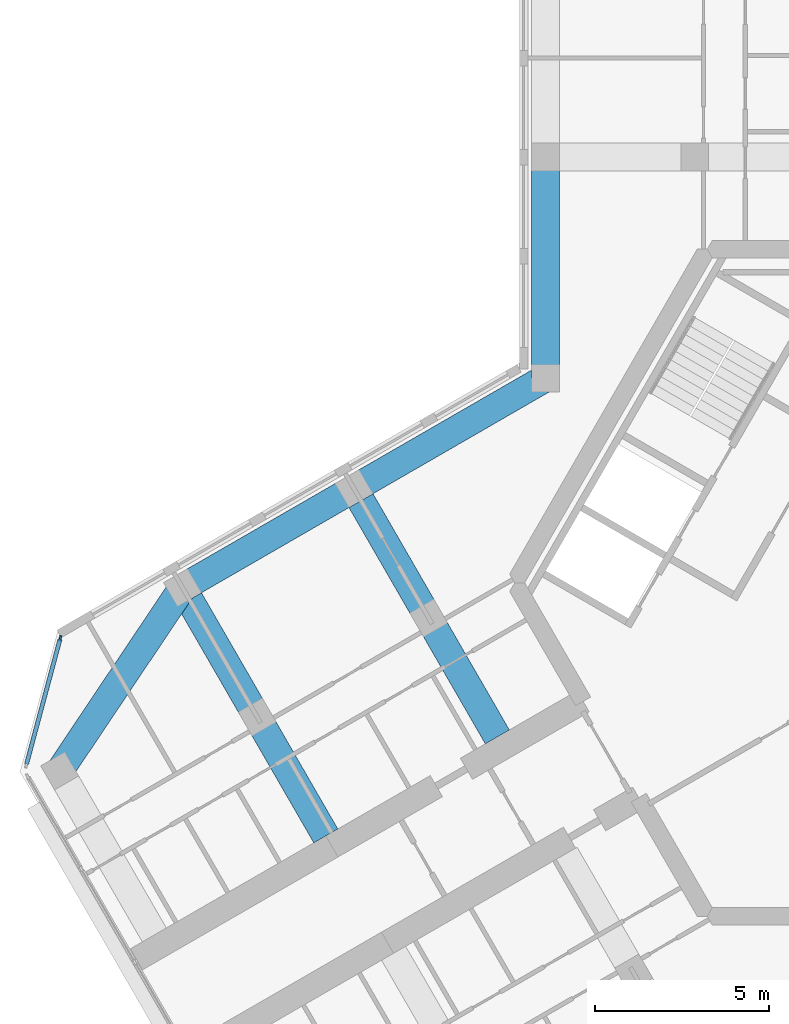
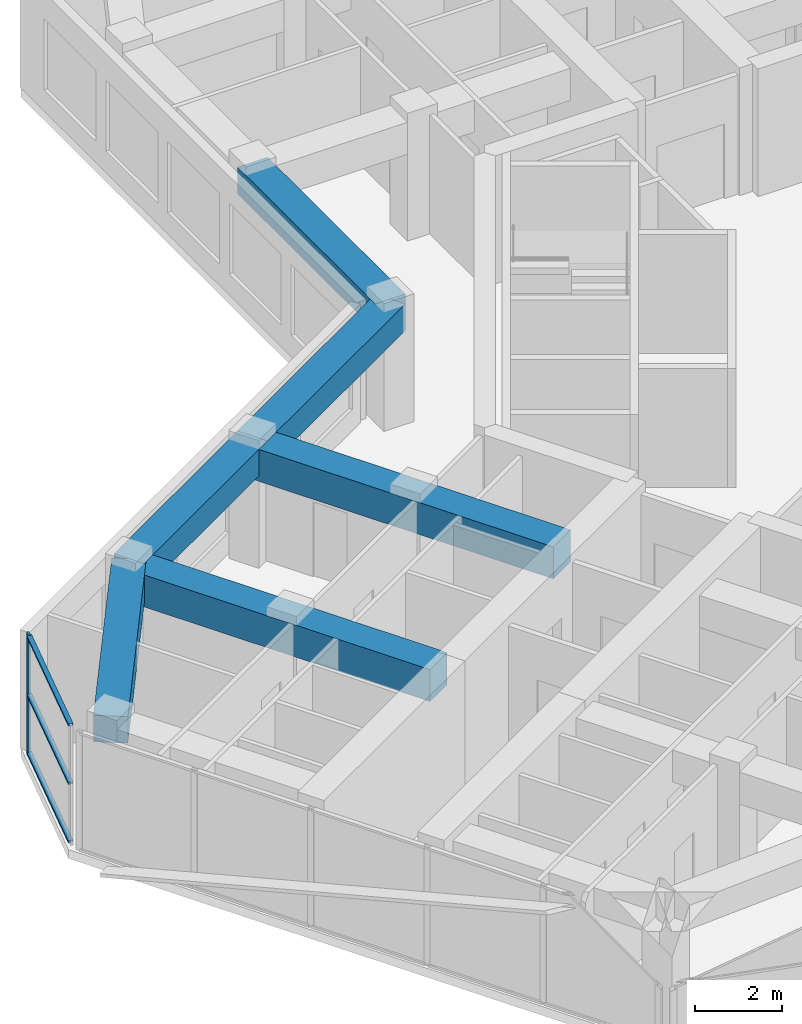
# One storey, part 3 of 14: 6 beams, 4 members, 1 element without a shape of its own.
"""IFC4 building model written with IfcOpenShell, lengths in metres."""

import ifcopenshell
import ifcopenshell.guid

model = None  # the IFC model being written
_history = None  # IfcOwnerHistory: only IFC2X3 demands one
_inside = {}  # id of a spatial element -> (the spatial element, [elements in it])
_under = {}  # id of a project, library or spatial element -> (it, [spatial elements below it])
_declared = {}  # id of a project -> (the project, [libraries it declares])
_typed = {}  # id of a type object -> (the type object, [elements of that type])
_made_of = {}  # id of a material, layer set ... -> (it, [elements and type objects made of it])


def new_model(schema):
    """Start an empty IFC model of exactly this schema.

    Asked for "IFC4X3", IfcOpenShell would pick the latest addendum, in which some entities
    have other attributes; the version numbers below select the first issue.
    IFC2X3 requires an IfcOwnerHistory on every rooted entity: one is made here for all.
    """
    global model, _history
    if schema == "IFC4X3":
        model = ifcopenshell.file(schema_version=(4, 3, 0, 0))
    else:
        model = ifcopenshell.file(schema=schema)
    _inside.clear()
    _under.clear()
    _declared.clear()
    _typed.clear()
    _made_of.clear()
    _history = None
    if model.schema == "IFC2X3":
        org = make("IfcOrganization", Name="unknown")
        user = make(
            "IfcPersonAndOrganization",
            ThePerson=make("IfcPerson", FamilyName="unknown"),
            TheOrganization=org,
        )
        app = make(
            "IfcApplication",
            ApplicationDeveloper=org,
            Version="unknown",
            ApplicationFullName="unknown",
            ApplicationIdentifier="unknown",
        )
        _history = make(
            "IfcOwnerHistory",
            OwningUser=user,
            OwningApplication=app,
            ChangeAction="ADDED",
            CreationDate=0,
        )
    return model


def make(cls, **values):
    """One entity of the class cls with the attributes given. An attribute that is None is left unset."""
    return model.create_entity(
        cls, **{name: value for name, value in values.items() if value is not None}
    )


def rooted(cls, **values):
    """An entity with a GlobalId (a new one), such as an element, a storey or a relation."""
    return make(cls, GlobalId=ifcopenshell.guid.new(), OwnerHistory=_history, **values)


def si_unit(unit_type, name, prefix=None):
    """IfcSIUnit, for example si_unit("LENGTHUNIT", "METRE", prefix="MILLI")."""
    return make("IfcSIUnit", UnitType=unit_type, Prefix=prefix, Name=name)


def assignment(units):
    """IfcUnitAssignment: the units of a project."""
    return None if units is None else make("IfcUnitAssignment", Units=units)


def point(xyz):
    """IfcCartesianPoint."""
    return None if xyz is None else make("IfcCartesianPoint", Coordinates=xyz)


def direction(xyz):
    """IfcDirection."""
    return None if xyz is None else make("IfcDirection", DirectionRatios=xyz)


def frame(location, z_axis=None, x_axis=None):
    """IfcAxis2Placement3D, a coordinate frame: its origin and axes. An axis left out is left unset."""
    return make(
        "IfcAxis2Placement3D",
        Location=point(location),
        Axis=direction(z_axis),
        RefDirection=direction(x_axis),
    )


def frame_2d(location, x_axis=None):
    """IfcAxis2Placement2D, a coordinate frame in the plane: its origin and x axis."""
    return make(
        "IfcAxis2Placement2D", Location=point(location), RefDirection=direction(x_axis)
    )


def origin():
    """The frame at (0, 0, 0) with its axes left unset."""
    return frame((0.0, 0.0, 0.0))


def origin_2d():
    """The frame at (0, 0) in the plane with its x axis left unset."""
    return frame_2d((0.0, 0.0))


def place(relative_to, where):
    """IfcLocalPlacement: puts the frame where relative to a parent placement (None: the world)."""
    return make(
        "IfcLocalPlacement", PlacementRelTo=relative_to, RelativePlacement=where
    )


def context(
    kind, dimensions, precision=None, world=None, true_north=None, identifier=None
):
    """IfcGeometricRepresentationContext, for example the 3D "Model" context."""
    return make(
        "IfcGeometricRepresentationContext",
        ContextIdentifier=identifier,
        ContextType=kind,
        CoordinateSpaceDimension=dimensions,
        Precision=precision,
        WorldCoordinateSystem=world,
        TrueNorth=true_north,
    )


def subcontext(parent, identifier, kind, view, scale=None):
    """IfcGeometricRepresentationSubContext, for example "Body" below "Model"."""
    return make(
        "IfcGeometricRepresentationSubContext",
        ContextIdentifier=identifier,
        ContextType=kind,
        ParentContext=parent,
        TargetScale=scale,
        TargetView=view,
    )


def project(units=None, contexts=None):
    """IfcProject with its units and contexts."""
    return rooted(
        "IfcProject",
        Name="project",
        RepresentationContexts=contexts,
        UnitsInContext=assignment(units),
    )


def spatial(cls, under=None, at=None, **own):
    """A site, building, storey or space (cls), placed at a placement, below another one or the project."""
    s = rooted(cls, ObjectPlacement=at, **own)
    if under is not None:
        _under.setdefault(under.id(), (under, []))[1].append(s)
    return s


def profile(cls, at=None, kind="AREA", **sizes):
    """A parametric profile (cls). Its sizes go by their IFC names, for example OverallWidth=200.0."""
    return make(cls, ProfileType=kind, Position=at, **sizes)


def rectangle(**sizes):
    """IfcRectangleProfileDef."""
    return profile("IfcRectangleProfileDef", **sizes)


def extrude(swept, where, along, depth):
    """IfcExtrudedAreaSolid: the profile swept, set in the frame where, extruded along a direction by depth."""
    return make(
        "IfcExtrudedAreaSolid",
        SweptArea=swept,
        Position=where,
        ExtrudedDirection=direction(along),
        Depth=depth,
    )


def shape(context_of_items, identifier, shape_type, items):
    """IfcShapeRepresentation: the items that make up one representation, for example the "Body"."""
    return make(
        "IfcShapeRepresentation",
        ContextOfItems=context_of_items,
        RepresentationIdentifier=identifier,
        RepresentationType=shape_type,
        Items=items,
    )


def material(Name=None, Category=None):
    """IfcMaterial."""
    return make("IfcMaterial", Name=Name, Category=Category)


def material_profile(
    of_material, cross_section, Name=None, Category=None, Priority=None
):
    """IfcMaterialProfile: a cross section and its material."""
    return make(
        "IfcMaterialProfile",
        Name=Name,
        Material=of_material,
        Profile=cross_section,
        Priority=Priority,
        Category=Category,
    )


def profile_set(profiles, Name=None, composite=None):
    """IfcMaterialProfileSet."""
    return make(
        "IfcMaterialProfileSet",
        Name=Name,
        MaterialProfiles=profiles,
        CompositeProfile=composite,
    )


def made_of(thing, what):
    """Note that an element or type object is made of a material, layer set ...; save() writes the relation."""
    if what is not None:
        _made_of.setdefault(what.id(), (what, []))[1].append(thing)
    return thing


def type_object(cls, material=None, **own):
    """A type object (cls), such as IfcWallType, which elements share."""
    return made_of(rooted(cls, **own), material)


def element(
    cls,
    number,
    at=None,
    inside=None,
    cuts=None,
    type_object=None,
    material=None,
    context=None,
    identifier="Body",
    shape_type=None,
    held_by="IfcProductDefinitionShape",
    body=None,
    shapes=None,
    **own,
):
    """One element of the class cls, such as IfcWall. Its Tag is "e" and its number.

    at: its placement. inside: the storey or other place that contains it. cuts: it is an
    opening in that element (IfcRelVoidsElement). A single representation is given by context,
    identifier, shape_type and body (its items); several are given by shapes. held_by: the class
    of the entity that holds the representations. save() writes the other relations.
    """
    e = rooted(cls, Tag="e%d" % number, ObjectPlacement=at, **own)
    if body is not None:
        shapes = [shape(context, identifier, shape_type, body)]
    if shapes is not None:
        e.Representation = make(held_by, Representations=shapes)
    if inside is not None:
        _inside.setdefault(inside.id(), (inside, []))[1].append(e)
    if cuts is not None:
        rooted(
            "IfcRelVoidsElement", RelatingBuildingElement=cuts, RelatedOpeningElement=e
        )
    if type_object is not None:
        _typed.setdefault(type_object.id(), (type_object, []))[1].append(e)
    return made_of(e, material)


def aggregate(whole, parts):
    """IfcRelAggregates: a whole, such as a stair, and the parts it consists of."""
    return rooted("IfcRelAggregates", RelatingObject=whole, RelatedObjects=parts)


def save(model, path):
    """Write the relations noted so far, then the file.

    IfcRelAggregates (storeys below a building ...), IfcRelContainedInSpatialStructure (elements
    in a storey), IfcRelDefinesByType, IfcRelAssociatesMaterial and IfcRelDeclares: one each for
    every whole, place, type object, material and project.
    """
    for whole, parts in _under.values():
        aggregate(whole, parts)
    for where, things in _inside.values():
        rooted(
            "IfcRelContainedInSpatialStructure",
            RelatedElements=things,
            RelatingStructure=where,
        )
    for kind, things in _typed.values():
        rooted("IfcRelDefinesByType", RelatedObjects=things, RelatingType=kind)
    for what, things in _made_of.values():
        rooted("IfcRelAssociatesMaterial", RelatedObjects=things, RelatingMaterial=what)
    for by, libraries in _declared.values():
        rooted("IfcRelDeclares", RelatingContext=by, RelatedDefinitions=libraries)
    model.write(path)


model = new_model("IFC4")

# Units and contexts
model_context = context("Model", 3, precision=1e-05, world=origin(), true_north=direction((0.0, 1.0)))
body_context = subcontext(model_context, "Body", "Model", "MODEL_VIEW")
ifc_project = project(units=[si_unit("LENGTHUNIT", "METRE"), si_unit("AREAUNIT", "SQUARE_METRE"), si_unit("VOLUMEUNIT", "CUBIC_METRE"), si_unit("PLANEANGLEUNIT", "RADIAN"), si_unit("MASSUNIT", "GRAM", prefix="KILO")], contexts=[model_context])

# Site, building, storey
site_placement = place(None, origin())
site = spatial("IfcSite", under=ifc_project, at=site_placement, CompositionType="ELEMENT")
building_placement = place(site_placement, origin())
building = spatial("IfcBuilding", under=site, at=building_placement, Name="Kosmar Iwan School Tower", CompositionType="ELEMENT")
storey_placement = place(building_placement, frame((0.0, 0.0, 285.39990234375)))
storey = spatial("IfcBuildingStorey", under=building, at=storey_placement, Name="L72", CompositionType="ELEMENT", Elevation=285.39990234375)

# Curtain wall, member
ifc_material_1 = material(Name="Dark glass in black aluminium frame", Category="aluminium")
curtain_wall_type = type_object("IfcCurtainWallType", Name="Chamfer curtain wall dark glass", PredefinedType="USERDEFINED", material=ifc_material_1)
curtain_wall_placement = place(storey_placement, origin())
curtain_wall = element("IfcCurtainWall", 1, at=curtain_wall_placement, inside=storey, type_object=curtain_wall_type, Name="Curtain wall L72-F12", ObjectType="FACETED CURTAIN WALL", PredefinedType="USERDEFINED")
ifc_material_2 = material(Name="Black anodised aluminium", Category="aluminium")
ifc_material_profile_1 = material_profile(ifc_material_2, rectangle(XDim=0.06005859375, YDim=0.159912109375, at=origin_2d()), Name="MULLION 60x160")
ifc_profile_set_1 = profile_set([ifc_material_profile_1], Name="Black anodised aluminium")
member_type_1 = type_object("IfcMemberType", Name="Mullion 60x160", PredefinedType="MULLION", material=ifc_profile_set_1)
member_1_placement = place(storey_placement, frame((-24.163818359375, -1.59814453125, 0.0), z_axis=(0.0, 0.0, 1.0), x_axis=(0.965925875495, -0.258818861462, 0.0)))
member_1 = element("IfcMember", 2, at=member_1_placement, type_object=member_type_1, Name="CW2 mullion 1", PredefinedType="MULLION", context=body_context, shape_type="SweptSolid", body=[
    extrude(rectangle(XDim=0.06005859375, YDim=0.159912109375, at=origin_2d()), origin(), (0.0, 0.0, 1.0), 3.35009765625),
])

# Beams
ifc_material_3 = material(Name="Concrete C50/60", Category="concrete")
ifc_material_profile_2 = material_profile(ifc_material_3, rectangle(XDim=0.800048828125, YDim=0.75, at=origin_2d()), Name="RC 800x750")
ifc_profile_set_2 = profile_set([ifc_material_profile_2], Name="Concrete C50/60")
beam_type_1 = type_object("IfcBeamType", Name="RC edge beam 800x750", PredefinedType="BEAM", material=ifc_profile_set_2)
beam_1_placement = place(storey_placement, frame((-10.199951171875, 5.888916015625, 2.97509765625), z_axis=(0.0, 1.0, 0.0), x_axis=(-1.0, 0.0, 0.0)))
element("IfcBeam", 3, at=beam_1_placement, inside=storey, type_object=beam_type_1, Name="Edge beam AL1", PredefinedType="BEAM", context=body_context, shape_type="SweptSolid", body=[
    extrude(rectangle(XDim=0.800048828125, YDim=0.75, at=origin_2d()), origin(), (0.0, 0.0, 1.0), 6.361083984375),
])
beam_2_placement = place(storey_placement, frame((-10.199951171875, 5.888916015625, 2.97509765625), z_axis=(-0.866030912664, -0.49999045822, 0.0), x_axis=(0.49999045822, -0.866030912664, 0.0)))
element("IfcBeam", 4, at=beam_2_placement, inside=storey, type_object=beam_type_1, Name="Edge beam BR1", PredefinedType="BEAM", context=body_context, shape_type="SweptSolid", body=[
    extrude(rectangle(XDim=0.800048828125, YDim=0.75, at=origin_2d()), origin(), (0.0, 0.0, 1.0), 6.36083984375),
])
beam_3_placement = place(storey_placement, frame((-15.708740234375, 2.70849609375, 2.97509765625), z_axis=(-0.866025820012, -0.499999279071, 0.0), x_axis=(0.499999279071, -0.866025820012, 0.0)))
element("IfcBeam", 5, at=beam_3_placement, inside=storey, type_object=beam_type_1, Name="Edge beam BR2", PredefinedType="BEAM", context=body_context, shape_type="SweptSolid", body=[
    extrude(rectangle(XDim=0.800048828125, YDim=0.75, at=origin_2d()), origin(), (0.0, 0.0, 1.0), 5.7001953125),
])
ifc_material_4 = material(Name="Concrete C50/60", Category="concrete")
ifc_material_profile_3 = material_profile(ifc_material_4, rectangle(XDim=0.800048828125, YDim=0.75, at=origin_2d()), Name="RC 800x750")
ifc_profile_set_3 = profile_set([ifc_material_profile_3], Name="Concrete C50/60")
beam_type_2 = type_object("IfcBeamType", Name="RC tip beam 800x750", PredefinedType="BEAM", material=ifc_profile_set_3)
beam_4_placement = place(storey_placement, frame((-20.645263671875, -0.1416015625, 2.97509765625), z_axis=(-0.556827604145, -0.83062808721, 0.0), x_axis=(0.83062808721, -0.556827604145, 0.0)))
element("IfcBeam", 6, at=beam_4_placement, inside=storey, type_object=beam_type_2, Name="Tip beam BR", PredefinedType="BEAM", context=body_context, shape_type="SweptSolid", body=[
    extrude(rectangle(XDim=0.800048828125, YDim=0.75, at=origin_2d()), origin(), (0.0, 0.0, 1.0), 6.3505859375),
])
ifc_material_5 = material(Name="Concrete C50/60", Category="concrete")
ifc_material_profile_4 = material_profile(ifc_material_5, rectangle(XDim=0.800048828125, YDim=0.89990234375, at=origin_2d()), Name="RC 800x900")
ifc_profile_set_4 = profile_set([ifc_material_profile_4], Name="Concrete C50/60")
beam_type_3 = type_object("IfcBeamType", Name="RC transverse beam 800x900", PredefinedType="BEAM", material=ifc_profile_set_4)
beam_5_placement = place(storey_placement, frame((-15.708740234375, 2.70849609375, 2.900146484375), z_axis=(0.499996545922, -0.866027397988, 0.0), x_axis=(0.866027397988, 0.499996545922, 0.0)))
element("IfcBeam", 7, at=beam_5_placement, inside=storey, type_object=beam_type_3, Name="Transverse beam BR1", PredefinedType="BEAM", context=body_context, shape_type="SweptSolid", body=[
    extrude(rectangle(XDim=0.800048828125, YDim=0.89990234375, at=origin_2d()), origin(), (0.0, 0.0, 1.0), 8.25),
])
beam_6_placement = place(storey_placement, frame((-20.645263671875, -0.1416015625, 2.900146484375), z_axis=(0.500009360108, -0.866019999656, 0.0), x_axis=(0.866019999656, 0.500009360108, 0.0)))
element("IfcBeam", 8, at=beam_6_placement, inside=storey, type_object=beam_type_3, Name="Transverse beam BR2", PredefinedType="BEAM", context=body_context, shape_type="SweptSolid", body=[
    extrude(rectangle(XDim=0.800048828125, YDim=0.89990234375, at=origin_2d()), origin(), (0.0, 0.0, 1.0), 8.249755859375),
])

# Member
ifc_material_6 = material(Name="Black anodised aluminium", Category="aluminium")
ifc_material_profile_5 = material_profile(ifc_material_6, rectangle(XDim=0.1201171875, YDim=0.06005859375, at=origin_2d()), Name="TRANSOM 60x120")
ifc_profile_set_5 = profile_set([ifc_material_profile_5], Name="Black anodised aluminium")
member_type_2 = type_object("IfcMemberType", Name="Transom 60x120", PredefinedType="USERDEFINED", material=ifc_profile_set_5)
member_2_placement = place(storey_placement, frame((-24.17138671875, -1.627197265625, 0.030029296875), z_axis=(-0.258843273983, -0.965919333854, 0.0), x_axis=(0.965919333854, -0.258843273983, 0.0)))
member_2 = element("IfcMember", 9, at=member_2_placement, type_object=member_type_2, Name="CW2 transom 1.1", ObjectType="TRANSOM", PredefinedType="USERDEFINED", context=body_context, shape_type="SweptSolid", body=[
    extrude(rectangle(XDim=0.1201171875, YDim=0.06005859375, at=origin_2d()), origin(), (0.0, 0.0, 1.0), 3.718994140625),
])

member_3_placement = place(storey_placement, frame((-24.17138671875, -1.627197265625, 1.675048828125), z_axis=(-0.258843273983, -0.965919333854, 0.0), x_axis=(0.965919333854, -0.258843273983, 0.0)))
member_3 = element("IfcMember", 10, at=member_3_placement, type_object=member_type_2, Name="CW2 transom 1.2", ObjectType="TRANSOM", PredefinedType="USERDEFINED", context=body_context, shape_type="SweptSolid", body=[
    extrude(rectangle(XDim=0.1201171875, YDim=0.06005859375, at=origin_2d()), origin(), (0.0, 0.0, 1.0), 3.718994140625),
])

member_4_placement = place(storey_placement, frame((-24.17138671875, -1.627197265625, 3.320068359375), z_axis=(-0.258843273983, -0.965919333854, 0.0), x_axis=(0.965919333854, -0.258843273983, 0.0)))
member_4 = element("IfcMember", 11, at=member_4_placement, type_object=member_type_2, Name="CW2 transom 1.3", ObjectType="TRANSOM", PredefinedType="USERDEFINED", context=body_context, shape_type="SweptSolid", body=[
    extrude(rectangle(XDim=0.1201171875, YDim=0.06005859375, at=origin_2d()), origin(), (0.0, 0.0, 1.0), 3.718994140625),
])

aggregate(curtain_wall, [member_1, member_2, member_3, member_4])

save(model, "model.ifc")
